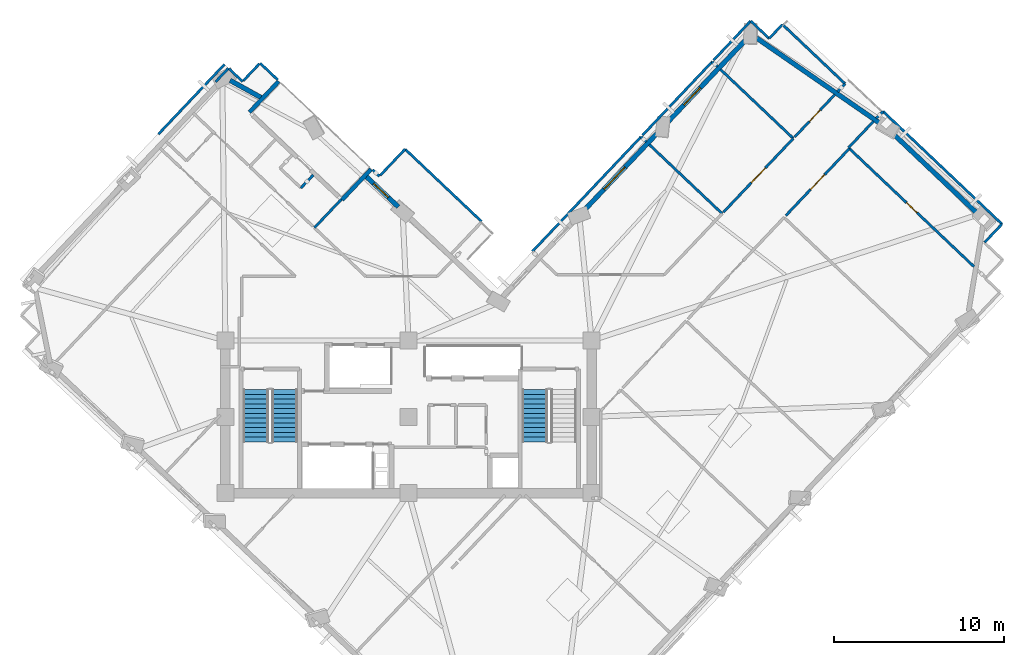
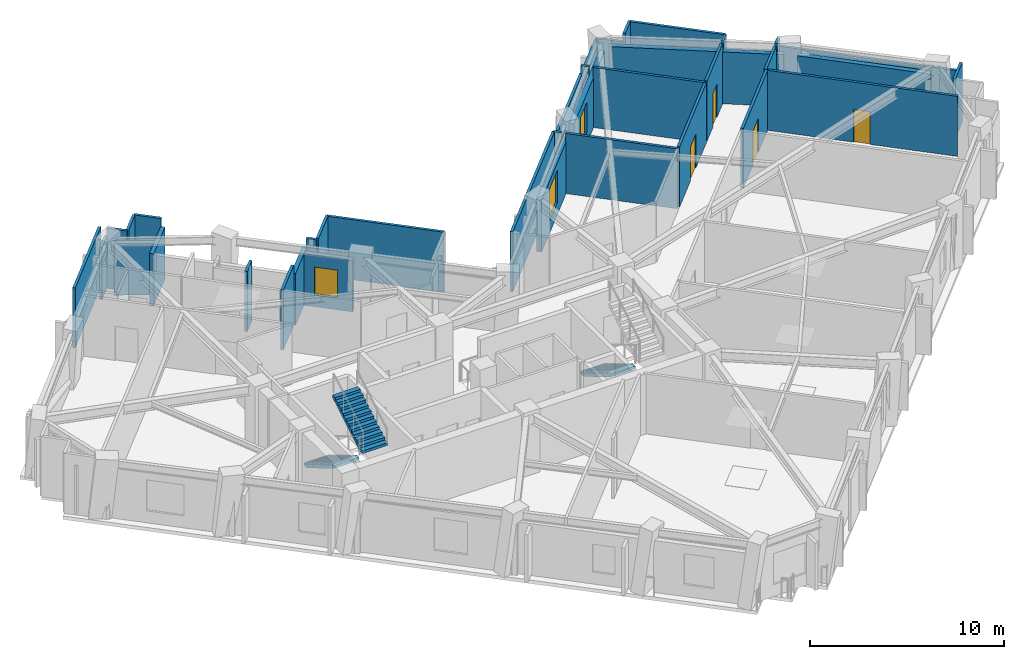
# One storey, part 7 of 12: 37 walls, 4 doors, 3 stair flights, 3 windows, 7 openings, 2 elements without a shape of their own.
"""IFC4 building model written with IfcOpenShell, lengths in metres."""

from ifc_helpers import new_model, si_unit, direction, frame, frame_2d, origin, place, context, subcontext, project, spatial, polyline, rectangle, outline, extrude, material, layer, layer_set, type_object, element, fill, aggregate, save


model = new_model("IFC4")

# Units and contexts
model_context = context("Model", 3, precision=1e-05, world=origin(), true_north=direction((0.0, 1.0)))
body_context = subcontext(model_context, "Body", "Model", "MODEL_VIEW")
ifc_project = project(units=[si_unit("LENGTHUNIT", "METRE"), si_unit("AREAUNIT", "SQUARE_METRE"), si_unit("VOLUMEUNIT", "CUBIC_METRE"), si_unit("PLANEANGLEUNIT", "RADIAN"), si_unit("MASSUNIT", "GRAM", prefix="KILO")], contexts=[model_context])

# Site, building, storey
site_placement = place(None, origin())
site = spatial("IfcSite", under=ifc_project, at=site_placement, CompositionType="ELEMENT")
building_placement = place(site_placement, origin())
building = spatial("IfcBuilding", under=site, at=building_placement, Name="Gaonmaruhae Medical Tower", CompositionType="ELEMENT")
storey_placement = place(building_placement, frame((0.0, 0.0, 223.199951171875)))
storey = spatial("IfcBuildingStorey", under=building, at=storey_placement, Name="L53", CompositionType="ELEMENT", Elevation=223.199951171875)

# Walls
ifc_material_1 = material(Name="Precast concrete C45/55", Category="concrete")
ifc_layer_1 = layer(ifc_material_1, 0.239990234375)
ifc_layer_set_1 = layer_set([ifc_layer_1], Name="Precast concrete C45/55")
wall_type_1 = type_object("IfcWallType", Name="EW-240 Ribbon & Shelter Insulated Precast Wall", PredefinedType="SOLIDWALL", material=ifc_layer_set_1)
for number, where, z_axis, x_axis, name in (
    (1, (20.873779296875, 25.09228515625, 0.0), (0.0, 0.0, 1.0), (0.687706724354, 0.725988609606, 0.0), "L53 Recessed Terrace Enclosure Wall TERL"),
    (2, (17.133544921875, 32.078857421875, 0.0), (0.0, 0.0, 1.0), (-0.687706724354, -0.725988609606, 0.0), "L53 Recessed Terrace Enclosure Wall TERR"),
):
    element("IfcWall", number, at=place(storey_placement, frame(where, z_axis=z_axis, x_axis=x_axis)), inside=storey, type_object=wall_type_1, Name=name, PredefinedType="SOLIDWALL", context=body_context, shape_type="SweptSolid", body=[
        extrude(rectangle(XDim=2.5, YDim=0.239990234375, at=frame_2d((1.25, 0.0))), origin(), (0.0, 0.0, 1.0), 3.26513671875),
    ])
ifc_layer_2 = layer(ifc_material_1, 0.280029296875)
ifc_layer_set_2 = layer_set([ifc_layer_2], Name="Precast concrete C45/55")
wall_type_2 = type_object("IfcWallType", Name="EW-280 Upper Precast Masonry-Frame Facade Wall", PredefinedType="SOLIDWALL", material=ifc_layer_set_2)
wall_1_placement = place(storey_placement, frame((53.2529296875, 29.117431640625, 0.0), z_axis=(0.0, 0.0, 1.0), x_axis=(0.725973623942, -0.687722543866, 0.0)))
element("IfcWall", 3, at=wall_1_placement, inside=storey, type_object=wall_type_2, Name="L53 Precast Masonry-Frame Wall E01-E02", PredefinedType="SOLIDWALL", context=body_context, shape_type="SweptSolid", body=[
    extrude(rectangle(XDim=7.04638671875, YDim=0.280029296875, at=frame_2d((3.523193359375, 0.0))), origin(), (0.0, 0.0, 1.0), 3.26513671875),
])
wall_2_placement = place(storey_placement, frame((45.224365234375, 34.71435546875, 0.0), z_axis=(0.0, 0.0, 1.0), x_axis=(0.82254121979, -0.568705496497, 0.0)))
element("IfcWall", 4, at=wall_2_placement, inside=storey, type_object=wall_type_2, Name="L53 Precast Masonry-Frame Wall E02-E03", PredefinedType="SOLIDWALL", context=body_context, shape_type="SweptSolid", body=[
    extrude(rectangle(XDim=9.0361328125, YDim=0.280029296875, at=frame_2d((4.51806640625, 0.0))), origin(), (0.0, 0.0, 1.0), 3.26513671875),
])

# Wall, opening, window
wall_3_placement = place(storey_placement, frame((40.083984375, 29.681640625, 0.0), z_axis=(0.0, 0.0, 1.0), x_axis=(0.687708690175, 0.72598674744, 0.0)))
wall_3 = element("IfcWall", 5, at=wall_3_placement, inside=storey, type_object=wall_type_2, Name="L53 Precast Masonry-Frame Wall E03-EN01", PredefinedType="SOLIDWALL", context=body_context, shape_type="SweptSolid", body=[
    extrude(rectangle(XDim=6.77978515625, YDim=0.280029296875, at=frame_2d((3.389892578125, 0.0))), origin(), (0.0, 0.0, 1.0), 3.1650390625),
])
opening_1_placement = place(wall_3_placement, frame((1.394775390625, 0.0, 0.75)))
opening_1 = element("IfcOpeningElement", 6, at=opening_1_placement, cuts=wall_3, Name="Opening WN-03", PredefinedType="OPENING", context=body_context, shape_type="SweptSolid", body=[
    extrude(rectangle(XDim=1.39990234375, YDim=1.85009765625, at=frame_2d((0.699951171875, 0.925048828125))), frame((0.0, 0.14990234375, 0.0), z_axis=(0.0, -1.0, 0.0), x_axis=(1.0, 0.0, 0.0)), (0.0, 0.0, 1.0), 0.300048828125),
])
ifc_material_2 = material(Name="Anodised aluminium and Low-E double glazing", Category="aluminium")
window_type_1 = type_object("IfcWindowType", Name="WN-03 Isolation Ward Punched Window 1400x1850", PartitioningType="SINGLE_PANEL", PredefinedType="WINDOW", material=ifc_material_2)
window_1_placement = place(opening_1_placement, origin())
window_1 = element("IfcWindow", 7, at=window_1_placement, inside=storey, type_object=window_type_1, Name="L53 Modular Facade Window E03", OverallHeight=1.85009765625, OverallWidth=1.39990234375, PartitioningType="SINGLE_PANEL", PredefinedType="WINDOW", context=body_context, shape_type="SweptSolid", body=[
    extrude(rectangle(XDim=1.39990234375, YDim=1.85009765625, at=frame_2d((0.699951171875, 0.925048828125))), frame((0.0, 0.030029296875, 0.0), z_axis=(0.0, -1.0, 0.0), x_axis=(1.0, 0.0, 0.0)), (0.0, 0.0, 1.0), 0.06005859375),
])
fill(opening_1, window_1)

wall_4_placement = place(storey_placement, frame((35.13623046875, 24.458740234375, 0.0), z_axis=(0.0, 0.0, 1.0), x_axis=(0.687726686708, 0.725969699361, 0.0)))
wall_4 = element("IfcWall", 8, at=wall_4_placement, inside=storey, type_object=wall_type_2, Name="L53 Precast Masonry-Frame Wall EN01-EN02", PredefinedType="SOLIDWALL", context=body_context, shape_type="SweptSolid", body=[
    extrude(rectangle(XDim=6.409423828125, YDim=0.280029296875, at=frame_2d((3.20458984375, 0.0))), origin(), (0.0, 0.0, 1.0), 3.26513671875),
])
opening_2_placement = place(wall_4_placement, frame((1.738037109375, 0.0, 0.75)))
opening_2 = element("IfcOpeningElement", 9, at=opening_2_placement, cuts=wall_4, Name="Opening WN-04", PredefinedType="OPENING", context=body_context, shape_type="SweptSolid", body=[
    extrude(rectangle(XDim=1.800048828125, YDim=2.050048828125, at=frame_2d((0.89990234375, 1.02490234375))), frame((0.0, 0.14990234375, 0.0), z_axis=(0.0, -1.0, 0.0), x_axis=(1.0, 0.0, 0.0)), (0.0, 0.0, 1.0), 0.300048828125),
])
window_type_2 = type_object("IfcWindowType", Name="WN-04 Clinic & Consult Punched Window 1800x2050", PartitioningType="SINGLE_PANEL", PredefinedType="WINDOW", material=ifc_material_2)
window_2_placement = place(opening_2_placement, origin())
window_2 = element("IfcWindow", 10, at=window_2_placement, inside=storey, type_object=window_type_2, Name="L53 Modular Facade Window EN01", OverallHeight=2.050048828125, OverallWidth=1.800048828125, PartitioningType="SINGLE_PANEL", PredefinedType="WINDOW", context=body_context, shape_type="SweptSolid", body=[
    extrude(rectangle(XDim=1.800048828125, YDim=2.050048828125, at=frame_2d((0.89990234375, 1.02490234375))), frame((0.0, 0.030029296875, 0.0), z_axis=(0.0, -1.0, 0.0), x_axis=(1.0, 0.0, 0.0)), (0.0, 0.0, 1.0), 0.06005859375),
])
fill(opening_2, window_2)

wall_5_placement = place(storey_placement, frame((22.256591796875, 26.523193359375, 0.0), z_axis=(0.0, 0.0, 1.0), x_axis=(0.726017294515, -0.687676441406, 0.0)))
wall_5 = element("IfcWall", 11, at=wall_5_placement, inside=storey, type_object=wall_type_2, Name="L53 Precast Masonry-Frame Wall NE01-NE02", PredefinedType="SOLIDWALL", context=body_context, shape_type="SweptSolid", body=[
    extrude(rectangle(XDim=2.6806640625, YDim=0.280029296875, at=frame_2d((1.34033203125, 0.0))), origin(), (0.0, 0.0, 1.0), 3.2451171875),
])
opening_3_placement = place(wall_5_placement, frame((0.664306640625, 0.0, 0.75)))
opening_3 = element("IfcOpeningElement", 12, at=opening_3_placement, cuts=wall_5, Name="Opening WN-05", PredefinedType="OPENING", context=body_context, shape_type="SweptSolid", body=[
    extrude(rectangle(XDim=1.199951171875, YDim=1.75, at=frame_2d((0.60009765625, 0.875))), frame((0.0, 0.14990234375, 0.0), z_axis=(0.0, -1.0, 0.0), x_axis=(1.0, 0.0, 0.0)), (0.0, 0.0, 1.0), 0.300048828125),
])
window_type_3 = type_object("IfcWindowType", Name="WN-05 Support & Staff Punched Window 1200x1750", PartitioningType="SINGLE_PANEL", PredefinedType="WINDOW", material=ifc_material_2)
window_3_placement = place(opening_3_placement, origin())
window_3 = element("IfcWindow", 13, at=window_3_placement, inside=storey, type_object=window_type_3, Name="L53 Modular Facade Window NE01", OverallHeight=1.75, OverallWidth=1.199951171875, PartitioningType="SINGLE_PANEL", PredefinedType="WINDOW", context=body_context, shape_type="SweptSolid", body=[
    extrude(rectangle(XDim=1.199951171875, YDim=1.75, at=frame_2d((0.60009765625, 0.875))), frame((0.0, 0.030029296875, 0.0), z_axis=(0.0, -1.0, 0.0), x_axis=(1.0, 0.0, 0.0)), (0.0, 0.0, 1.0), 0.06005859375),
])
fill(opening_3, window_3)

# Wall
wall_6_placement = place(storey_placement, frame((14.279296875, 32.1455078125, 0.0), z_axis=(0.0, 0.0, 1.0), x_axis=(0.874050913104, -0.485834335244, 0.0)))
element("IfcWall", 14, at=wall_6_placement, inside=storey, type_object=wall_type_2, Name="L53 Precast Masonry-Frame Wall NE02-N01", PredefinedType="SOLIDWALL", context=body_context, shape_type="SweptSolid", body=[
    extrude(rectangle(XDim=2.165771484375, YDim=0.280029296875, at=frame_2d((1.0830078125, 0.0))), origin(), (0.0, 0.0, 1.0), 3.2451171875),
])

# Wall, opening, door
ifc_material_3 = material(Name="Gypsum board partition", Category="gypsum")
ifc_layer_3 = layer(ifc_material_3, 0.14990234375)
ifc_layer_set_3 = layer_set([ifc_layer_3], Name="Gypsum board partition")
wall_type_3 = type_object("IfcWallType", Name="PW-150 Rated Clinical Corridor Partition", PredefinedType="PARTITIONING", material=ifc_layer_set_3)
wall_7_placement = place(storey_placement, frame((47.056884765625, 24.174072265625, 0.0), z_axis=(0.0, 0.0, 1.0), x_axis=(0.687752117074, 0.725945607783, 0.0)))
wall_7 = element("IfcWall", 15, at=wall_7_placement, inside=storey, type_object=wall_type_3, Name="L53 Interior Partition L53-SUP06-24", PredefinedType="PARTITIONING", context=body_context, shape_type="SweptSolid", body=[
    extrude(rectangle(XDim=5.439697265625, YDim=0.14990234375, at=frame_2d((2.7197265625, 0.0))), origin(), (0.0, 0.0, 1.0), 3.780029296875),
])
opening_4_placement = place(wall_7_placement, frame((2.119873046875, 0.0, 0.0)))
opening_4 = element("IfcOpeningElement", 16, at=opening_4_placement, cuts=wall_7, Name="Opening CD-02", PredefinedType="OPENING", context=body_context, shape_type="SweptSolid", body=[
    extrude(rectangle(XDim=1.199951171875, YDim=2.14990234375, at=frame_2d((0.60009765625, 1.074951171875))), frame((0.0, 0.0849609375, 0.0), z_axis=(0.0, -1.0, 0.0), x_axis=(1.0, 0.0, 0.0)), (0.0, 0.0, 1.0), 0.169921875),
])
ifc_material_4 = material(Name="Antimicrobial laminate timber fire door", Category="wood")
door_type_1 = type_object("IfcDoorType", Name="CD-02 Clinical Treatment & Procedure Door 1200x2150", OperationType="NOTDEFINED", PredefinedType="DOOR", material=ifc_material_4)
door_1_placement = place(opening_4_placement, origin())
door_1 = element("IfcDoor", 17, at=door_1_placement, inside=storey, type_object=door_type_1, Name="L53 Clinical Biomedical Charting Office Door", OperationType="SINGLE_SWING_LEFT", OverallHeight=2.14990234375, OverallWidth=1.199951171875, PredefinedType="DOOR", context=body_context, shape_type="SweptSolid", body=[
    extrude(rectangle(XDim=1.199951171875, YDim=2.14990234375, at=frame_2d((0.60009765625, 1.074951171875))), frame((0.0, 0.02490234375, 0.0), z_axis=(0.0, -1.0, 0.0), x_axis=(1.0, 0.0, 0.0)), (0.0, 0.0, 1.0), 0.050048828125),
])
fill(opening_4, door_1)

wall_8_placement = place(storey_placement, frame((50.798095703125, 28.123046875, 0.0), z_axis=(0.0, 0.0, 1.0), x_axis=(0.72594065617, -0.687757343632, 0.0)))
wall_8 = element("IfcWall", 18, at=wall_8_placement, inside=storey, type_object=wall_type_3, Name="L53 Interior Partition L53-SUP06-25", PredefinedType="PARTITIONING", context=body_context, shape_type="SweptSolid", body=[
    extrude(rectangle(XDim=10.13427734375, YDim=0.14990234375, at=frame_2d((5.067138671875, 0.0))), origin(), (0.0, 0.0, 1.0), 3.780029296875),
])
opening_5_placement = place(wall_8_placement, frame((4.63720703125, 0.0, 0.0)))
opening_5 = element("IfcOpeningElement", 19, at=opening_5_placement, cuts=wall_8, Name="Opening AD-01", PredefinedType="OPENING", context=body_context, shape_type="SweptSolid", body=[
    extrude(rectangle(XDim=0.860107421875, YDim=2.06005859375, at=frame_2d((0.43017578125, 1.030029296875))), frame((0.0, 0.0849609375, 0.0), z_axis=(0.0, -1.0, 0.0), x_axis=(1.0, 0.0, 0.0)), (0.0, 0.0, 1.0), 0.169921875),
])
ifc_material_5 = material(Name="Powder-coated steel access door", Category="steel")
door_type_2 = type_object("IfcDoorType", Name="AD-01 Riser & Closet Access Fire Door 860x2060", OperationType="NOTDEFINED", PredefinedType="DOOR", material=ifc_material_5)
door_2_placement = place(opening_5_placement, origin())
door_2 = element("IfcDoor", 20, at=door_2_placement, inside=storey, type_object=door_type_2, Name="L53 Clinical Records Office Sliding Door", OperationType="SLIDING_TO_LEFT", OverallHeight=2.06005859375, OverallWidth=0.860107421875, PredefinedType="DOOR", context=body_context, shape_type="SweptSolid", body=[
    extrude(rectangle(XDim=0.860107421875, YDim=2.06005859375, at=frame_2d((0.43017578125, 1.030029296875))), frame((0.0, 0.02490234375, 0.0), z_axis=(0.0, -1.0, 0.0), x_axis=(1.0, 0.0, 0.0)), (0.0, 0.0, 1.0), 0.050048828125),
])
fill(opening_5, door_2)

# Walls
wall_9_placement = place(storey_placement, frame((32.10400390625, 22.056884765625, 0.0), z_axis=(0.0, 0.0, 1.0), x_axis=(0.687675585373, 0.72601810534, 0.0)))
element("IfcWall", 21, at=wall_9_placement, inside=storey, type_object=wall_type_3, Name="L53 Interior Partition L53-IE02-49", PredefinedType="PARTITIONING", context=body_context, shape_type="SweptSolid", body=[
    extrude(rectangle(XDim=9.3154296875, YDim=0.14990234375, at=frame_2d((4.65771484375, 0.0))), origin(), (0.0, 0.0, 1.0), 3.780029296875),
])
wall_10_placement = place(storey_placement, frame((38.510009765625, 28.820068359375, 0.0), z_axis=(0.0, 0.0, 1.0), x_axis=(0.726203335954, -0.687479974145, 0.0)))
element("IfcWall", 22, at=wall_10_placement, inside=storey, type_object=wall_type_3, Name="L53 Interior Partition L53-IE02-50", PredefinedType="PARTITIONING", context=body_context, shape_type="SweptSolid", body=[
    extrude(rectangle(XDim=0.43505859375, YDim=0.14990234375, at=frame_2d((0.217529296875, 0.0))), origin(), (0.0, 0.0, 1.0), 3.780029296875),
])
wall_11_placement = place(storey_placement, frame((38.992919921875, 28.363037109375, 0.0), z_axis=(0.0, 0.0, 1.0), x_axis=(0.725927779308, -0.687770935144, 0.0)))
element("IfcWall", 23, at=wall_11_placement, inside=storey, type_object=wall_type_3, Name="L53 Interior Partition L53-IE02-51", PredefinedType="PARTITIONING", context=body_context, shape_type="SweptSolid", body=[
    extrude(rectangle(XDim=5.9248046875, YDim=0.14990234375, at=frame_2d((2.96240234375, 0.0))), origin(), (0.0, 0.0, 1.0), 3.780029296875),
])

# Wall, opening, door
wall_12_placement = place(storey_placement, frame((47.492919921875, 28.719970703125, 0.0), z_axis=(0.0, 0.0, 1.0), x_axis=(-0.687716360799, -0.725979481176, 0.0)))
wall_12 = element("IfcWall", 24, at=wall_12_placement, inside=storey, type_object=wall_type_3, Name="L53 Interior Partition L53-IE03-56", PredefinedType="PARTITIONING", context=body_context, shape_type="SweptSolid", body=[
    extrude(rectangle(XDim=5.98486328125, YDim=0.14990234375, at=frame_2d((2.992431640625, 0.0))), origin(), (0.0, 0.0, 1.0), 3.780029296875),
])
opening_6_placement = place(wall_12_placement, frame((2.392578125, 0.0, 0.0)))
opening_6 = element("IfcOpeningElement", 25, at=opening_6_placement, cuts=wall_12, Name="Opening CD-02", PredefinedType="OPENING", context=body_context, shape_type="SweptSolid", body=[
    extrude(rectangle(XDim=1.199951171875, YDim=2.14990234375, at=frame_2d((0.60009765625, 1.074951171875))), frame((0.0, 0.0849609375, 0.0), z_axis=(0.0, -1.0, 0.0), x_axis=(1.0, 0.0, 0.0)), (0.0, 0.0, 1.0), 0.169921875),
])
door_3_placement = place(opening_6_placement, origin())
door_3 = element("IfcDoor", 26, at=door_3_placement, inside=storey, type_object=door_type_1, Name="L53 Clean Medication Preparation Room Door", OperationType="SINGLE_SWING_RIGHT", OverallHeight=2.14990234375, OverallWidth=1.199951171875, PredefinedType="DOOR", context=body_context, shape_type="SweptSolid", body=[
    extrude(rectangle(XDim=1.199951171875, YDim=2.14990234375, at=frame_2d((0.60009765625, 1.074951171875))), frame((0.0, 0.02490234375, 0.0), z_axis=(0.0, -1.0, 0.0), x_axis=(1.0, 0.0, 0.0)), (0.0, 0.0, 1.0), 0.050048828125),
])
fill(opening_6, door_3)

# Walls
wall_13_placement = place(storey_placement, frame((38.593017578125, 28.906982421875, 0.0), z_axis=(0.0, 0.0, 1.0), x_axis=(0.687716360799, 0.725979481176, 0.0)))
element("IfcWall", 27, at=wall_13_placement, inside=storey, type_object=wall_type_3, Name="L53 Interior Partition L53-IE03-57", PredefinedType="PARTITIONING", context=body_context, shape_type="SweptSolid", body=[
    extrude(rectangle(XDim=5.98486328125, YDim=0.14990234375, at=frame_2d((2.992431640625, 0.0))), origin(), (0.0, 0.0, 1.0), 3.26513671875),
])
wall_14_placement = place(storey_placement, frame((42.708984375, 33.251953125, 0.0), z_axis=(0.0, 0.0, 1.0), x_axis=(0.726203335954, -0.687479974145, 0.0)))
element("IfcWall", 28, at=wall_14_placement, inside=storey, type_object=wall_type_3, Name="L53 Interior Partition L53-IE03-58", PredefinedType="PARTITIONING", context=body_context, shape_type="SweptSolid", body=[
    extrude(rectangle(XDim=0.43505859375, YDim=0.14990234375, at=frame_2d((0.217529296875, 0.0))), origin(), (0.0, 0.0, 1.0), 3.780029296875),
])
wall_15_placement = place(storey_placement, frame((43.19189453125, 32.794921875, 0.0), z_axis=(0.0, 0.0, 1.0), x_axis=(0.725927779308, -0.687770935144, 0.0)))
element("IfcWall", 29, at=wall_15_placement, inside=storey, type_object=wall_type_3, Name="L53 Interior Partition L53-IE03-59", PredefinedType="PARTITIONING", context=body_context, shape_type="SweptSolid", body=[
    extrude(rectangle(XDim=5.9248046875, YDim=0.14990234375, at=frame_2d((2.96240234375, 0.0))), origin(), (0.0, 0.0, 1.0), 3.780029296875),
])
wall_16_placement = place(storey_placement, frame((46.06689453125, 34.615966796875, 0.0), z_axis=(0.0, 0.0, 1.0), x_axis=(0.687578377548, 0.726110167074, 0.0)))
element("IfcWall", 30, at=wall_16_placement, inside=storey, type_object=wall_type_3, Name="L53 Interior Partition L53-IE04-60", PredefinedType="PARTITIONING", context=body_context, shape_type="SweptSolid", body=[
    extrude(rectangle(XDim=1.140380859375, YDim=0.14990234375, at=frame_2d((0.5703125, 0.0))), origin(), (0.0, 0.0, 1.0), 3.780029296875),
])
wall_17_placement = place(storey_placement, frame((46.85107421875, 35.444091796875, 0.0), z_axis=(0.0, 0.0, 1.0), x_axis=(0.725892183021, -0.68780850433, 0.0)))
element("IfcWall", 31, at=wall_17_placement, inside=storey, type_object=wall_type_3, Name="L53 Interior Partition L53-IE04-61", PredefinedType="PARTITIONING", context=body_context, shape_type="SweptSolid", body=[
    extrude(rectangle(XDim=5.090087890625, YDim=0.14990234375, at=frame_2d((2.544921875, 0.0))), origin(), (0.0, 0.0, 1.0), 3.780029296875),
])
wall_18_placement = place(storey_placement, frame((50.5458984375, 31.943115234375, 0.0), z_axis=(0.0, 0.0, 1.0), x_axis=(-0.687956405575, -0.725752012762, 0.0)))
element("IfcWall", 32, at=wall_18_placement, inside=storey, type_object=wall_type_3, Name="L53 Interior Partition L53-IE04-62", PredefinedType="PARTITIONING", context=body_context, shape_type="SweptSolid", body=[
    extrude(rectangle(XDim=0.639404296875, YDim=0.14990234375, at=frame_2d((0.31982421875, 0.0))), origin(), (0.0, 0.0, 1.0), 3.780029296875),
])

# Wall, opening, door
wall_19_placement = place(storey_placement, frame((49.946044921875, 31.31005859375, 0.0), z_axis=(0.0, 0.0, 1.0), x_axis=(-0.687693581287, -0.726001059405, 0.0)))
wall_19 = element("IfcWall", 33, at=wall_19_placement, inside=storey, type_object=wall_type_3, Name="L53 Interior Partition L53-IE04-63", PredefinedType="PARTITIONING", context=body_context, shape_type="SweptSolid", body=[
    extrude(rectangle(XDim=3.447998046875, YDim=0.14990234375, at=frame_2d((1.72412109375, 0.0))), origin(), (0.0, 0.0, 1.0), 3.780029296875),
])
opening_7_placement = place(wall_19_placement, frame((1.263916015625, 0.0, 0.0)))
opening_7 = element("IfcOpeningElement", 34, at=opening_7_placement, cuts=wall_19, Name="Opening UD-01", PredefinedType="OPENING", context=body_context, shape_type="SweptSolid", body=[
    extrude(rectangle(XDim=0.919921875, YDim=2.10009765625, at=frame_2d((0.4599609375, 1.050048828125))), frame((0.0, 0.0849609375, 0.0), z_axis=(0.0, -1.0, 0.0), x_axis=(1.0, 0.0, 0.0)), (0.0, 0.0, 1.0), 0.169921875),
])
ifc_material_6 = material(Name="Powder-coated steel utility door", Category="steel")
door_type_3 = type_object("IfcDoorType", Name="UD-01 Toilet, Utility & Housekeeping Door 920x2100", OperationType="NOTDEFINED", PredefinedType="DOOR", material=ifc_material_6)
door_4_placement = place(opening_7_placement, origin())
door_4 = element("IfcDoor", 35, at=door_4_placement, inside=storey, type_object=door_type_3, Name="L53 Accessible Public Toilet Door", OperationType="SINGLE_SWING_RIGHT", OverallHeight=2.10009765625, OverallWidth=0.919921875, PredefinedType="DOOR", context=body_context, shape_type="SweptSolid", body=[
    extrude(rectangle(XDim=0.919921875, YDim=2.10009765625, at=frame_2d((0.4599609375, 1.050048828125))), frame((0.0, 0.02490234375, 0.0), z_axis=(0.0, -1.0, 0.0), x_axis=(1.0, 0.0, 0.0)), (0.0, 0.0, 1.0), 0.050048828125),
])
fill(opening_7, door_4)

# Walls
wall_20_placement = place(storey_placement, frame((42.791015625, 33.339111328125, 0.0), z_axis=(0.0, 0.0, 1.0), x_axis=(0.687693541823, 0.726001096787, 0.0)))
element("IfcWall", 36, at=wall_20_placement, inside=storey, type_object=wall_type_3, Name="L53 Interior Partition L53-IE04-64", PredefinedType="PARTITIONING", context=body_context, shape_type="SweptSolid", body=[
    extrude(rectangle(XDim=3.18017578125, YDim=0.14990234375, at=frame_2d((1.590087890625, 0.0))), origin(), (0.0, 0.0, 1.0), 3.1650390625),
])
wall_21_placement = place(storey_placement, frame((44.97802734375, 35.64794921875, 0.0), z_axis=(0.0, 0.0, 1.0), x_axis=(0.725811549819, -0.687893592171, 0.0)))
element("IfcWall", 37, at=wall_21_placement, inside=storey, type_object=wall_type_3, Name="L53 Interior Partition L53-IE04-65", PredefinedType="PARTITIONING", context=body_context, shape_type="SweptSolid", body=[
    extrude(rectangle(XDim=1.500244140625, YDim=0.14990234375, at=frame_2d((0.75, 0.0))), origin(), (0.0, 0.0, 1.0), 3.26513671875),
])
wall_22_placement = place(storey_placement, frame((19.2490234375, 23.449951171875, 0.0), z_axis=(0.0, 0.0, 1.0), x_axis=(0.687551100997, 0.726135995195, 0.0)))
element("IfcWall", 38, at=wall_22_placement, inside=storey, type_object=wall_type_3, Name="L53 Interior Partition L53-IN01-71", PredefinedType="PARTITIONING", context=body_context, shape_type="SweptSolid", body=[
    extrude(rectangle(XDim=2.3095703125, YDim=0.14990234375, at=frame_2d((1.15478515625, 0.0))), origin(), (0.0, 0.0, 1.0), 3.780029296875),
])
wall_23_placement = place(storey_placement, frame((22.68310546875, 26.876953125, 0.0), z_axis=(0.0, 0.0, 1.0), x_axis=(0.72581362308, -0.687891404621, 0.0)))
element("IfcWall", 39, at=wall_23_placement, inside=storey, type_object=wall_type_3, Name="L53 Interior Partition L53-IN01-72", PredefinedType="PARTITIONING", context=body_context, shape_type="SweptSolid", body=[
    extrude(rectangle(XDim=0.5537109375, YDim=0.14990234375, at=frame_2d((0.27685546875, 0.0))), origin(), (0.0, 0.0, 1.0), 3.780029296875),
])
wall_24_placement = place(storey_placement, frame((18.455078125, 25.800048828125, 0.0), z_axis=(0.0, 0.0, 1.0), x_axis=(0.687853884213, 0.725849181286, 0.0)))
element("IfcWall", 40, at=wall_24_placement, inside=storey, type_object=wall_type_3, Name="L53 Interior Partition L53-IN02-76", PredefinedType="PARTITIONING", context=body_context, shape_type="SweptSolid", body=[
    extrude(rectangle(XDim=1.0537109375, YDim=0.14990234375, at=frame_2d((0.52685546875, 0.0))), origin(), (0.0, 0.0, 1.0), 3.780029296875),
])
wall_25_placement = place(storey_placement, frame((16.04296875, 33.1669921875, 0.0), z_axis=(0.0, 0.0, 1.0), x_axis=(0.726146731291, -0.687539762221, 0.0)))
element("IfcWall", 41, at=wall_25_placement, inside=storey, type_object=wall_type_3, Name="L53 Interior Partition L53-IN03-78", PredefinedType="PARTITIONING", context=body_context, shape_type="SweptSolid", body=[
    extrude(rectangle(XDim=1.454345703125, YDim=0.14990234375, at=frame_2d((0.72705078125, 0.0))), origin(), (0.0, 0.0, 1.0), 3.780029296875),
])
wall_26_placement = place(storey_placement, frame((13.426025390625, 32.06201171875, 0.0), z_axis=(0.0, 0.0, 1.0), x_axis=(0.687799943488, 0.725900294625, 0.0)))
element("IfcWall", 42, at=wall_26_placement, inside=storey, type_object=wall_type_3, Name="L53 Interior Partition L53-IN03-80", PredefinedType="PARTITIONING", context=body_context, shape_type="SweptSolid", body=[
    extrude(rectangle(XDim=1.10205078125, YDim=0.14990234375, at=frame_2d((0.551025390625, 0.0))), origin(), (0.0, 0.0, 1.0), 3.26513671875),
])
wall_27_placement = place(storey_placement, frame((14.219970703125, 32.827880859375, 0.0), z_axis=(0.0, 0.0, 1.0), x_axis=(0.726093826478, -0.687595633458, 0.0)))
element("IfcWall", 43, at=wall_27_placement, inside=storey, type_object=wall_type_3, Name="L53 Interior Partition L53-IN03-81", PredefinedType="PARTITIONING", context=body_context, shape_type="SweptSolid", body=[
    extrude(rectangle(XDim=1.0908203125, YDim=0.14990234375, at=frame_2d((0.54541015625, 0.0))), origin(), (0.0, 0.0, 1.0), 3.780029296875),
])
wall_28_placement = place(storey_placement, frame((15.0458984375, 32.114013671875, 0.0), z_axis=(0.0, 0.0, 1.0), x_axis=(0.687585096142, 0.72610380495, 0.0)))
element("IfcWall", 44, at=wall_28_placement, inside=storey, type_object=wall_type_3, Name="L53 Interior Partition L53-IN03-82", PredefinedType="PARTITIONING", context=body_context, shape_type="SweptSolid", body=[
    extrude(rectangle(XDim=1.400634765625, YDim=0.14990234375, at=frame_2d((0.7001953125, 0.0))), origin(), (0.0, 0.0, 1.0), 3.780029296875),
])
wall_29_placement = place(storey_placement, frame((10.044921875, 28.972900390625, 0.0), z_axis=(0.0, 0.0, 1.0), x_axis=(0.687707621898, 0.725987759389, 0.0)))
element("IfcWall", 45, at=wall_29_placement, inside=storey, type_object=wall_type_3, Name="L53 Interior Partition L53-RM02-87", PredefinedType="PARTITIONING", context=body_context, shape_type="SweptSolid", body=[
    extrude(rectangle(XDim=5.669921875, YDim=0.14990234375, at=frame_2d((2.8349609375, 0.0))), origin(), (0.0, 0.0, 1.0), 3.780029296875),
])
wall_30_placement = place(storey_placement, frame((24.597900390625, 28.093017578125, 0.0), z_axis=(0.0, 0.0, 1.0), x_axis=(0.726048445962, -0.687643551643, 0.0)))
element("IfcWall", 46, at=wall_30_placement, inside=storey, type_object=wall_type_3, Name="L53 Interior Partition L53-RM03-88", PredefinedType="PARTITIONING", context=body_context, shape_type="SweptSolid", body=[
    extrude(rectangle(XDim=6.22998046875, YDim=0.14990234375, at=frame_2d((3.114990234375, 0.0))), origin(), (0.0, 0.0, 1.0), 3.780029296875),
])
wall_31_placement = place(storey_placement, frame((23.133056640625, 26.547119140625, 0.0), z_axis=(0.0, 0.0, 1.0), x_axis=(0.687820957093, 0.725880383385, 0.0)))
element("IfcWall", 47, at=wall_31_placement, inside=storey, type_object=wall_type_3, Name="L53 Interior Partition L53-RM03-90", PredefinedType="PARTITIONING", context=body_context, shape_type="SweptSolid", body=[
    extrude(rectangle(XDim=2.129638671875, YDim=0.14990234375, at=frame_2d((1.06494140625, 0.0))), origin(), (0.0, 0.0, 1.0), 3.780029296875),
])
wall_32_placement = place(storey_placement, frame((50.7470703125, 28.1708984375, 0.0), z_axis=(0.0, 0.0, 1.0), x_axis=(0.687788705191, 0.725910942893, 0.0)))
element("IfcWall", 48, at=wall_32_placement, inside=storey, type_object=wall_type_3, Name="L53 Interior Partition L53-RM04-91", PredefinedType="PARTITIONING", context=body_context, shape_type="SweptSolid", body=[
    extrude(rectangle(XDim=2.15185546875, YDim=0.14990234375, at=frame_2d((1.075927734375, 0.0))), origin(), (0.0, 0.0, 1.0), 3.780029296875),
])
wall_33_placement = place(storey_placement, frame((52.386962890625, 29.902099609375, 0.0), z_axis=(0.0, 0.0, 1.0), x_axis=(0.687768170091, 0.725930399011, 0.0)))
element("IfcWall", 49, at=wall_33_placement, inside=storey, type_object=wall_type_3, Name="L53 Interior Partition L53-RM04-92", PredefinedType="PARTITIONING", context=body_context, shape_type="SweptSolid", body=[
    extrude(rectangle(XDim=0.57568359375, YDim=0.14990234375, at=frame_2d((0.287841796875, 0.0))), origin(), (0.0, 0.0, 1.0), 3.780029296875),
])
wall_34_placement = place(storey_placement, frame((52.782958984375, 30.320068359375, 0.0), z_axis=(0.0, 0.0, 1.0), x_axis=(0.725973250346, -0.687722938241, 0.0)))
element("IfcWall", 50, at=wall_34_placement, inside=storey, type_object=wall_type_3, Name="L53 Interior Partition L53-RM04-93", PredefinedType="PARTITIONING", context=body_context, shape_type="SweptSolid", body=[
    extrude(rectangle(XDim=9.669921875, YDim=0.14990234375, at=frame_2d((4.8349609375, 0.0))), origin(), (0.0, 0.0, 1.0), 3.26513671875),
])
wall_35_placement = place(storey_placement, frame((59.802978515625, 23.669921875, 0.0), z_axis=(0.0, 0.0, 1.0), x_axis=(-0.687550438625, -0.72613662237, 0.0)))
element("IfcWall", 51, at=wall_35_placement, inside=storey, type_object=wall_type_3, Name="L53 Interior Partition L53-RM04-94", PredefinedType="PARTITIONING", context=body_context, shape_type="SweptSolid", body=[
    extrude(rectangle(XDim=1.49951171875, YDim=0.14990234375, at=frame_2d((0.749755859375, 0.0))), origin(), (0.0, 0.0, 1.0), 3.780029296875),
])

# Stair, stair flights
ifc_material_7 = material(Name="Concrete C40/50", Category="concrete")
stair_type = type_object("IfcStairType", Name="ST-T1 Primary Core Escape Dogleg Stair", PredefinedType="TWO_QUARTER_TURN_STAIR", material=ifc_material_7)
stair_1_placement = place(storey_placement, origin())
stair_1 = element("IfcStair", 52, at=stair_1_placement, inside=storey, type_object=stair_type, Name="L53 Protected Escape Stair ST-01", PredefinedType="TWO_QUARTER_TURN_STAIR")
stair_flight_type = type_object("IfcStairFlightType", Name="SF-T1 Primary Core Precast Stair Flight", PredefinedType="STRAIGHT", material=ifc_material_7)
stair_flight_1_placement = place(storey_placement, frame((15.800048828125, 13.89990234375, 0.0), z_axis=(0.0, 0.0, 1.0), x_axis=(0.0, -1.0, 0.0)))
stair_flight_1 = element("IfcStairFlight", 53, at=stair_flight_1_placement, type_object=stair_flight_type, Name="ST-01 flight 1", NumberOfRisers=12, NumberOfTreads=11, PredefinedType="STRAIGHT", RiserHeight=0.166666667, TreadLength=0.28, context=body_context, shape_type="SweptSolid", body=[
    extrude(outline(polyline([(0.0, 0.0), (0.0, 0.166748046875), (0.280029296875, 0.166748046875), (0.280029296875, 0.333251953125), (0.56005859375, 0.333251953125), (0.56005859375, 0.5), (0.840087890625, 0.5), (0.840087890625, 0.666748046875), (1.1201171875, 0.666748046875), (1.1201171875, 0.833251953125), (1.39990234375, 0.833251953125), (1.39990234375, 1.0), (1.679931640625, 1.0), (1.679931640625, 1.166748046875), (1.9599609375, 1.166748046875), (1.9599609375, 1.333251953125), (2.239990234375, 1.333251953125), (2.239990234375, 1.5), (2.52001953125, 1.5), (2.52001953125, 1.666748046875), (2.800048828125, 1.666748046875), (2.800048828125, 1.833251953125), (3.080078125, 1.833251953125), (3.080078125, 2.0), (3.080078125, 1.658935546875), (0.29296875, 0.0), (0.0, 0.0)])), frame((0.0, 0.75, 0.0), z_axis=(0.0, -1.0, 0.0), x_axis=(1.0, 0.0, 0.0)), (0.0, 0.0, 1.0), 1.5),
])
stair_flight_2_placement = place(storey_placement, frame((17.5, 10.820068359375, 2.0), z_axis=(0.0, 0.0, 1.0), x_axis=(0.0, 1.0, 0.0)))
stair_flight_2 = element("IfcStairFlight", 54, at=stair_flight_2_placement, type_object=stair_flight_type, Name="ST-01 flight 2", NumberOfRisers=12, NumberOfTreads=11, PredefinedType="STRAIGHT", RiserHeight=0.166666667, TreadLength=0.28, context=body_context, shape_type="SweptSolid", body=[
    extrude(outline(polyline([(0.0, 0.0), (0.0, 0.166748046875), (0.280029296875, 0.166748046875), (0.280029296875, 0.333251953125), (0.56005859375, 0.333251953125), (0.56005859375, 0.5), (0.840087890625, 0.5), (0.840087890625, 0.666748046875), (1.1201171875, 0.666748046875), (1.1201171875, 0.833251953125), (1.39990234375, 0.833251953125), (1.39990234375, 1.0), (1.679931640625, 1.0), (1.679931640625, 1.166748046875), (1.9599609375, 1.166748046875), (1.9599609375, 1.333251953125), (2.239990234375, 1.333251953125), (2.239990234375, 1.5), (2.52001953125, 1.5), (2.52001953125, 1.666748046875), (2.800048828125, 1.666748046875), (2.800048828125, 1.833251953125), (3.080078125, 1.833251953125), (3.080078125, 2.0), (3.080078125, 1.658935546875), (0.29296875, 0.0), (0.0, 0.0)])), frame((0.0, 0.75, 0.0), z_axis=(0.0, -1.0, 0.0), x_axis=(1.0, 0.0, 0.0)), (0.0, 0.0, 1.0), 1.5),
])
aggregate(stair_1, [stair_flight_1, stair_flight_2])

# Stair, stair flight
stair_2_placement = place(storey_placement, origin())
stair_2 = element("IfcStair", 55, at=stair_2_placement, inside=storey, type_object=stair_type, Name="L53 Protected Escape Stair ST-02", PredefinedType="TWO_QUARTER_TURN_STAIR")
stair_flight_3_placement = place(storey_placement, frame((32.25, 13.89990234375, 0.0), z_axis=(0.0, 0.0, 1.0), x_axis=(0.0, -1.0, 0.0)))
stair_flight_3 = element("IfcStairFlight", 56, at=stair_flight_3_placement, type_object=stair_flight_type, Name="ST-02 flight 1", NumberOfRisers=12, NumberOfTreads=11, PredefinedType="STRAIGHT", RiserHeight=0.166666667, TreadLength=0.28, context=body_context, shape_type="SweptSolid", body=[
    extrude(outline(polyline([(0.0, 0.0), (0.0, 0.166748046875), (0.280029296875, 0.166748046875), (0.280029296875, 0.333251953125), (0.56005859375, 0.333251953125), (0.56005859375, 0.5), (0.840087890625, 0.5), (0.840087890625, 0.666748046875), (1.1201171875, 0.666748046875), (1.1201171875, 0.833251953125), (1.39990234375, 0.833251953125), (1.39990234375, 1.0), (1.679931640625, 1.0), (1.679931640625, 1.166748046875), (1.9599609375, 1.166748046875), (1.9599609375, 1.333251953125), (2.239990234375, 1.333251953125), (2.239990234375, 1.5), (2.52001953125, 1.5), (2.52001953125, 1.666748046875), (2.800048828125, 1.666748046875), (2.800048828125, 1.833251953125), (3.080078125, 1.833251953125), (3.080078125, 2.0), (3.080078125, 1.658935546875), (0.29296875, 0.0), (0.0, 0.0)])), frame((0.0, 0.75, 0.0), z_axis=(0.0, -1.0, 0.0), x_axis=(1.0, 0.0, 0.0)), (0.0, 0.0, 1.0), 1.5),
])
aggregate(stair_2, [stair_flight_3])

save(model, "model.ifc")
